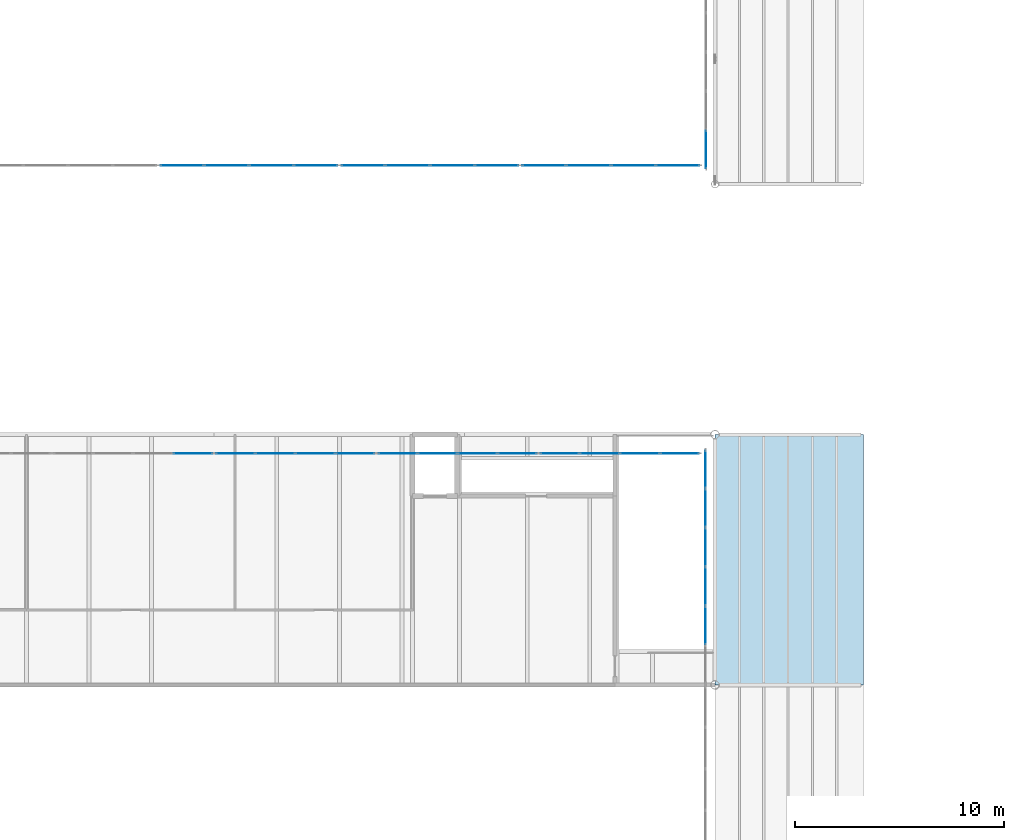
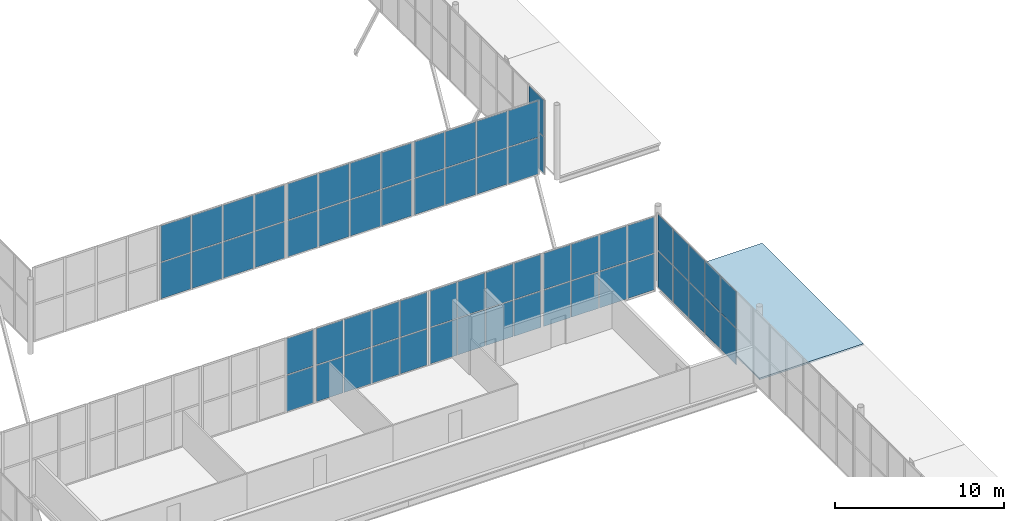
# One storey, part 94 of 170: 62 plates, 1 slab, 9 elements without a shape of their own.
"""IFC4 building model written with IfcOpenShell, lengths in metres."""

from ifc_helpers import new_model, si_unit, direction, frame, origin, origin_2d, place, context, subcontext, project, spatial, polyline, rectangle, outline, extrude, material, layer, layer_set, type_object, element, aggregate, save


model = new_model("IFC4")

# Units and contexts
model_context = context("Model", 3, precision=1e-05, world=origin(), true_north=direction((0.0, 1.0)))
body_context = subcontext(model_context, "Body", "Model", "MODEL_VIEW")
ifc_project = project(units=[si_unit("LENGTHUNIT", "METRE"), si_unit("AREAUNIT", "SQUARE_METRE"), si_unit("VOLUMEUNIT", "CUBIC_METRE"), si_unit("PLANEANGLEUNIT", "RADIAN"), si_unit("MASSUNIT", "GRAM", prefix="KILO")], contexts=[model_context])

# Site, building, storey
site_placement = place(None, origin())
site = spatial("IfcSite", under=ifc_project, at=site_placement, CompositionType="ELEMENT")
building_placement = place(site_placement, origin())
building = spatial("IfcBuilding", under=site, at=building_placement, Name="Ravi Spectrum Wholesale Market", CompositionType="ELEMENT")
storey_placement = place(building_placement, frame((0.0, 0.0, 5.39990234375)))
storey = spatial("IfcBuildingStorey", under=building, at=storey_placement, Name="L01", CompositionType="ELEMENT", Elevation=5.39990234375)

# Curtain wall, plates
ifc_material_1 = material(Name="Aluminium 6063-T6", Category="aluminium")
ifc_layer_1 = layer(ifc_material_1, 0.14990234375)
ifc_layer_set_1 = layer_set([ifc_layer_1], Name="Aluminium 6063-T6")
curtain_wall_type = type_object("IfcCurtainWallType", Name="Curtain wall 150", PredefinedType="NOTDEFINED", material=ifc_layer_set_1)
curtain_wall_1_placement = place(storey_placement, origin())
curtain_wall_1 = element("IfcCurtainWall", 1, at=curtain_wall_1_placement, inside=storey, type_object=curtain_wall_type, Name="H2-CW-L01-008", PredefinedType="NOTDEFINED")
ifc_material_2 = material(Name="Toughened glass", Category="glass")
ifc_layer_2 = layer(ifc_material_2, 0.028076171875)
ifc_layer_set_2 = layer_set([ifc_layer_2], Name="Toughened glass")
plate_type = type_object("IfcPlateType", Name="Glazing panel 28", PredefinedType="CURTAIN_PANEL", material=ifc_layer_set_2)
plate_1_placement = place(storey_placement, frame((197.546875, 116.8525390625, 0.06005859375), z_axis=(0.0, 0.0, 1.0), x_axis=(0.0, 1.0, 0.0)))
plate_1 = element("IfcPlate", 2, at=plate_1_placement, type_object=plate_type, Name="H2-CW-L01-008 panel 2.1", PredefinedType="CURTAIN_PANEL", context=body_context, shape_type="SweptSolid", body=[
    extrude(rectangle(XDim=1.81494140625, YDim=0.028076171875, at=origin_2d()), origin(), (0.0, 0.0, 1.0), 2.610107421875),
])
plate_2_placement = place(storey_placement, frame((197.546875, 116.8525390625, 2.72998046875), z_axis=(0.0, 0.0, 1.0), x_axis=(0.0, 1.0, 0.0)))
plate_2 = element("IfcPlate", 3, at=plate_2_placement, type_object=plate_type, Name="H2-CW-L01-008 panel 2.2", PredefinedType="CURTAIN_PANEL", context=body_context, shape_type="SweptSolid", body=[
    extrude(rectangle(XDim=1.81494140625, YDim=0.028076171875, at=origin_2d()), origin(), (0.0, 0.0, 1.0), 2.610107421875),
])
plate_3_placement = place(storey_placement, frame((197.546875, 118.7275390625, 0.06005859375), z_axis=(0.0, 0.0, 1.0), x_axis=(0.0, 1.0, 0.0)))
plate_3 = element("IfcPlate", 4, at=plate_3_placement, type_object=plate_type, Name="H2-CW-L01-008 panel 3.1", PredefinedType="CURTAIN_PANEL", context=body_context, shape_type="SweptSolid", body=[
    extrude(rectangle(XDim=1.81494140625, YDim=0.028076171875, at=origin_2d()), origin(), (0.0, 0.0, 1.0), 2.610107421875),
])
plate_4_placement = place(storey_placement, frame((197.546875, 118.7275390625, 2.72998046875), z_axis=(0.0, 0.0, 1.0), x_axis=(0.0, 1.0, 0.0)))
plate_4 = element("IfcPlate", 5, at=plate_4_placement, type_object=plate_type, Name="H2-CW-L01-008 panel 3.2", PredefinedType="CURTAIN_PANEL", context=body_context, shape_type="SweptSolid", body=[
    extrude(rectangle(XDim=1.81494140625, YDim=0.028076171875, at=origin_2d()), origin(), (0.0, 0.0, 1.0), 2.610107421875),
])
plate_5_placement = place(storey_placement, frame((197.546875, 120.6025390625, 0.06005859375), z_axis=(0.0, 0.0, 1.0), x_axis=(0.0, 1.0, 0.0)))
plate_5 = element("IfcPlate", 6, at=plate_5_placement, type_object=plate_type, Name="H2-CW-L01-008 panel 4.1", PredefinedType="CURTAIN_PANEL", context=body_context, shape_type="SweptSolid", body=[
    extrude(rectangle(XDim=1.81494140625, YDim=0.028076171875, at=origin_2d()), origin(), (0.0, 0.0, 1.0), 2.610107421875),
])
plate_6_placement = place(storey_placement, frame((197.546875, 120.6025390625, 2.72998046875), z_axis=(0.0, 0.0, 1.0), x_axis=(0.0, 1.0, 0.0)))
plate_6 = element("IfcPlate", 7, at=plate_6_placement, type_object=plate_type, Name="H2-CW-L01-008 panel 4.2", PredefinedType="CURTAIN_PANEL", context=body_context, shape_type="SweptSolid", body=[
    extrude(rectangle(XDim=1.81494140625, YDim=0.028076171875, at=origin_2d()), origin(), (0.0, 0.0, 1.0), 2.610107421875),
])
plate_7_placement = place(storey_placement, frame((197.546875, 122.4775390625, 0.06005859375), z_axis=(0.0, 0.0, 1.0), x_axis=(0.0, 1.0, 0.0)))
plate_7 = element("IfcPlate", 8, at=plate_7_placement, type_object=plate_type, Name="H2-CW-L01-008 panel 5.1", PredefinedType="CURTAIN_PANEL", context=body_context, shape_type="SweptSolid", body=[
    extrude(rectangle(XDim=1.81494140625, YDim=0.028076171875, at=origin_2d()), origin(), (0.0, 0.0, 1.0), 2.610107421875),
])
plate_8_placement = place(storey_placement, frame((197.546875, 122.4775390625, 2.72998046875), z_axis=(0.0, 0.0, 1.0), x_axis=(0.0, 1.0, 0.0)))
plate_8 = element("IfcPlate", 9, at=plate_8_placement, type_object=plate_type, Name="H2-CW-L01-008 panel 5.2", PredefinedType="CURTAIN_PANEL", context=body_context, shape_type="SweptSolid", body=[
    extrude(rectangle(XDim=1.81494140625, YDim=0.028076171875, at=origin_2d()), origin(), (0.0, 0.0, 1.0), 2.610107421875),
])
plate_9_placement = place(storey_placement, frame((197.546875, 124.33740234375, 0.06005859375), z_axis=(0.0, 0.0, 1.0), x_axis=(0.0, 1.0, 0.0)))
plate_9 = element("IfcPlate", 10, at=plate_9_placement, type_object=plate_type, Name="H2-CW-L01-008 panel 6.1", PredefinedType="CURTAIN_PANEL", context=body_context, shape_type="SweptSolid", body=[
    extrude(rectangle(XDim=1.784912109375, YDim=0.028076171875, at=origin_2d()), origin(), (0.0, 0.0, 1.0), 2.610107421875),
])
plate_10_placement = place(storey_placement, frame((197.546875, 124.33740234375, 2.72998046875), z_axis=(0.0, 0.0, 1.0), x_axis=(0.0, 1.0, 0.0)))
plate_10 = element("IfcPlate", 11, at=plate_10_placement, type_object=plate_type, Name="H2-CW-L01-008 panel 6.2", PredefinedType="CURTAIN_PANEL", context=body_context, shape_type="SweptSolid", body=[
    extrude(rectangle(XDim=1.784912109375, YDim=0.028076171875, at=origin_2d()), origin(), (0.0, 0.0, 1.0), 2.610107421875),
])
aggregate(curtain_wall_1, [plate_1, plate_2, plate_3, plate_4, plate_5, plate_6, plate_7, plate_8, plate_9, plate_10])

curtain_wall_2_placement = place(storey_placement, origin())
curtain_wall_2 = element("IfcCurtainWall", 12, at=curtain_wall_2_placement, inside=storey, type_object=curtain_wall_type, Name="H2-CW-L01-017", PredefinedType="NOTDEFINED")
plate_11_placement = place(storey_placement, frame((172.9833984375, 125.10009765625, 0.06005859375), z_axis=(0.0, 0.0, 1.0), x_axis=(1.0, 0.0, 0.0)))
plate_11 = element("IfcPlate", 13, at=plate_11_placement, type_object=plate_type, Name="H2-CW-L01-017 panel 4.1", PredefinedType="CURTAIN_PANEL", context=body_context, shape_type="SweptSolid", body=[
    extrude(rectangle(XDim=1.8330078125, YDim=0.028076171875, at=origin_2d()), origin(), (0.0, 0.0, 1.0), 2.610107421875),
])
plate_12_placement = place(storey_placement, frame((172.9833984375, 125.10009765625, 2.72998046875), z_axis=(0.0, 0.0, 1.0), x_axis=(1.0, 0.0, 0.0)))
plate_12 = element("IfcPlate", 14, at=plate_12_placement, type_object=plate_type, Name="H2-CW-L01-017 panel 4.2", PredefinedType="CURTAIN_PANEL", context=body_context, shape_type="SweptSolid", body=[
    extrude(rectangle(XDim=1.8330078125, YDim=0.028076171875, at=origin_2d()), origin(), (0.0, 0.0, 1.0), 2.610107421875),
])
aggregate(curtain_wall_2, [plate_11, plate_12])

curtain_wall_3_placement = place(storey_placement, origin())
curtain_wall_3 = element("IfcCurtainWall", 15, at=curtain_wall_3_placement, inside=storey, type_object=curtain_wall_type, Name="H2-CW-L01-018", PredefinedType="NOTDEFINED")
plate_13_placement = place(storey_placement, frame((175.0166015625, 125.10009765625, 0.06005859375), z_axis=(0.0, 0.0, 1.0), x_axis=(1.0, 0.0, 0.0)))
plate_13 = element("IfcPlate", 16, at=plate_13_placement, type_object=plate_type, Name="H2-CW-L01-018 panel 1.1", PredefinedType="CURTAIN_PANEL", context=body_context, shape_type="SweptSolid", body=[
    extrude(rectangle(XDim=1.8330078125, YDim=0.028076171875, at=origin_2d()), origin(), (0.0, 0.0, 1.0), 2.610107421875),
])
plate_14_placement = place(storey_placement, frame((175.0166015625, 125.10009765625, 2.72998046875), z_axis=(0.0, 0.0, 1.0), x_axis=(1.0, 0.0, 0.0)))
plate_14 = element("IfcPlate", 17, at=plate_14_placement, type_object=plate_type, Name="H2-CW-L01-018 panel 1.2", PredefinedType="CURTAIN_PANEL", context=body_context, shape_type="SweptSolid", body=[
    extrude(rectangle(XDim=1.8330078125, YDim=0.028076171875, at=origin_2d()), origin(), (0.0, 0.0, 1.0), 2.610107421875),
])
plate_15_placement = place(storey_placement, frame((176.924560546875, 125.10009765625, 0.06005859375), z_axis=(0.0, 0.0, 1.0), x_axis=(1.0, 0.0, 0.0)))
plate_15 = element("IfcPlate", 18, at=plate_15_placement, type_object=plate_type, Name="H2-CW-L01-018 panel 2.1", PredefinedType="CURTAIN_PANEL", context=body_context, shape_type="SweptSolid", body=[
    extrude(rectangle(XDim=1.863037109375, YDim=0.028076171875, at=origin_2d()), origin(), (0.0, 0.0, 1.0), 2.610107421875),
])
plate_16_placement = place(storey_placement, frame((176.924560546875, 125.10009765625, 2.72998046875), z_axis=(0.0, 0.0, 1.0), x_axis=(1.0, 0.0, 0.0)))
plate_16 = element("IfcPlate", 19, at=plate_16_placement, type_object=plate_type, Name="H2-CW-L01-018 panel 2.2", PredefinedType="CURTAIN_PANEL", context=body_context, shape_type="SweptSolid", body=[
    extrude(rectangle(XDim=1.863037109375, YDim=0.028076171875, at=origin_2d()), origin(), (0.0, 0.0, 1.0), 2.610107421875),
])
plate_17_placement = place(storey_placement, frame((178.84765625, 125.10009765625, 0.06005859375), z_axis=(0.0, 0.0, 1.0), x_axis=(1.0, 0.0, 0.0)))
plate_17 = element("IfcPlate", 20, at=plate_17_placement, type_object=plate_type, Name="H2-CW-L01-018 panel 3.1", PredefinedType="CURTAIN_PANEL", context=body_context, shape_type="SweptSolid", body=[
    extrude(rectangle(XDim=1.863037109375, YDim=0.028076171875, at=origin_2d()), origin(), (0.0, 0.0, 1.0), 2.610107421875),
])
plate_18_placement = place(storey_placement, frame((178.84765625, 125.10009765625, 2.72998046875), z_axis=(0.0, 0.0, 1.0), x_axis=(1.0, 0.0, 0.0)))
plate_18 = element("IfcPlate", 21, at=plate_18_placement, type_object=plate_type, Name="H2-CW-L01-018 panel 3.2", PredefinedType="CURTAIN_PANEL", context=body_context, shape_type="SweptSolid", body=[
    extrude(rectangle(XDim=1.863037109375, YDim=0.028076171875, at=origin_2d()), origin(), (0.0, 0.0, 1.0), 2.610107421875),
])
plate_19_placement = place(storey_placement, frame((180.755615234375, 125.10009765625, 0.06005859375), z_axis=(0.0, 0.0, 1.0), x_axis=(1.0, 0.0, 0.0)))
plate_19 = element("IfcPlate", 22, at=plate_19_placement, type_object=plate_type, Name="H2-CW-L01-018 panel 4.1", PredefinedType="CURTAIN_PANEL", context=body_context, shape_type="SweptSolid", body=[
    extrude(rectangle(XDim=1.8330078125, YDim=0.028076171875, at=origin_2d()), origin(), (0.0, 0.0, 1.0), 2.610107421875),
])
plate_20_placement = place(storey_placement, frame((180.755615234375, 125.10009765625, 2.72998046875), z_axis=(0.0, 0.0, 1.0), x_axis=(1.0, 0.0, 0.0)))
plate_20 = element("IfcPlate", 23, at=plate_20_placement, type_object=plate_type, Name="H2-CW-L01-018 panel 4.2", PredefinedType="CURTAIN_PANEL", context=body_context, shape_type="SweptSolid", body=[
    extrude(rectangle(XDim=1.8330078125, YDim=0.028076171875, at=origin_2d()), origin(), (0.0, 0.0, 1.0), 2.610107421875),
])
aggregate(curtain_wall_3, [plate_13, plate_14, plate_15, plate_16, plate_17, plate_18, plate_19, plate_20])

curtain_wall_4_placement = place(storey_placement, origin())
curtain_wall_4 = element("IfcCurtainWall", 24, at=curtain_wall_4_placement, inside=storey, type_object=curtain_wall_type, Name="H2-CW-L01-019", PredefinedType="NOTDEFINED")
plate_21_placement = place(storey_placement, frame((182.788818359375, 125.10009765625, 0.06005859375), z_axis=(0.0, 0.0, 1.0), x_axis=(1.0, 0.0, 0.0)))
plate_21 = element("IfcPlate", 25, at=plate_21_placement, type_object=plate_type, Name="H2-CW-L01-019 panel 1.1", PredefinedType="CURTAIN_PANEL", context=body_context, shape_type="SweptSolid", body=[
    extrude(rectangle(XDim=1.8330078125, YDim=0.028076171875, at=origin_2d()), origin(), (0.0, 0.0, 1.0), 2.610107421875),
])
plate_22_placement = place(storey_placement, frame((182.788818359375, 125.10009765625, 2.72998046875), z_axis=(0.0, 0.0, 1.0), x_axis=(1.0, 0.0, 0.0)))
plate_22 = element("IfcPlate", 26, at=plate_22_placement, type_object=plate_type, Name="H2-CW-L01-019 panel 1.2", PredefinedType="CURTAIN_PANEL", context=body_context, shape_type="SweptSolid", body=[
    extrude(rectangle(XDim=1.8330078125, YDim=0.028076171875, at=origin_2d()), origin(), (0.0, 0.0, 1.0), 2.610107421875),
])
plate_23_placement = place(storey_placement, frame((184.69677734375, 125.10009765625, 0.06005859375), z_axis=(0.0, 0.0, 1.0), x_axis=(1.0, 0.0, 0.0)))
plate_23 = element("IfcPlate", 27, at=plate_23_placement, type_object=plate_type, Name="H2-CW-L01-019 panel 2.1", PredefinedType="CURTAIN_PANEL", context=body_context, shape_type="SweptSolid", body=[
    extrude(rectangle(XDim=1.863037109375, YDim=0.028076171875, at=origin_2d()), origin(), (0.0, 0.0, 1.0), 2.610107421875),
])
plate_24_placement = place(storey_placement, frame((184.69677734375, 125.10009765625, 2.72998046875), z_axis=(0.0, 0.0, 1.0), x_axis=(1.0, 0.0, 0.0)))
plate_24 = element("IfcPlate", 28, at=plate_24_placement, type_object=plate_type, Name="H2-CW-L01-019 panel 2.2", PredefinedType="CURTAIN_PANEL", context=body_context, shape_type="SweptSolid", body=[
    extrude(rectangle(XDim=1.863037109375, YDim=0.028076171875, at=origin_2d()), origin(), (0.0, 0.0, 1.0), 2.610107421875),
])
plate_25_placement = place(storey_placement, frame((186.619873046875, 125.10009765625, 0.06005859375), z_axis=(0.0, 0.0, 1.0), x_axis=(1.0, 0.0, 0.0)))
plate_25 = element("IfcPlate", 29, at=plate_25_placement, type_object=plate_type, Name="H2-CW-L01-019 panel 3.1", PredefinedType="CURTAIN_PANEL", context=body_context, shape_type="SweptSolid", body=[
    extrude(rectangle(XDim=1.863037109375, YDim=0.028076171875, at=origin_2d()), origin(), (0.0, 0.0, 1.0), 2.610107421875),
])
plate_26_placement = place(storey_placement, frame((186.619873046875, 125.10009765625, 2.72998046875), z_axis=(0.0, 0.0, 1.0), x_axis=(1.0, 0.0, 0.0)))
plate_26 = element("IfcPlate", 30, at=plate_26_placement, type_object=plate_type, Name="H2-CW-L01-019 panel 3.2", PredefinedType="CURTAIN_PANEL", context=body_context, shape_type="SweptSolid", body=[
    extrude(rectangle(XDim=1.863037109375, YDim=0.028076171875, at=origin_2d()), origin(), (0.0, 0.0, 1.0), 2.610107421875),
])
plate_27_placement = place(storey_placement, frame((188.528076171875, 125.10009765625, 0.06005859375), z_axis=(0.0, 0.0, 1.0), x_axis=(1.0, 0.0, 0.0)))
plate_27 = element("IfcPlate", 31, at=plate_27_placement, type_object=plate_type, Name="H2-CW-L01-019 panel 4.1", PredefinedType="CURTAIN_PANEL", context=body_context, shape_type="SweptSolid", body=[
    extrude(rectangle(XDim=1.8330078125, YDim=0.028076171875, at=origin_2d()), origin(), (0.0, 0.0, 1.0), 2.610107421875),
])
plate_28_placement = place(storey_placement, frame((188.528076171875, 125.10009765625, 2.72998046875), z_axis=(0.0, 0.0, 1.0), x_axis=(1.0, 0.0, 0.0)))
plate_28 = element("IfcPlate", 32, at=plate_28_placement, type_object=plate_type, Name="H2-CW-L01-019 panel 4.2", PredefinedType="CURTAIN_PANEL", context=body_context, shape_type="SweptSolid", body=[
    extrude(rectangle(XDim=1.8330078125, YDim=0.028076171875, at=origin_2d()), origin(), (0.0, 0.0, 1.0), 2.610107421875),
])
aggregate(curtain_wall_4, [plate_21, plate_22, plate_23, plate_24, plate_25, plate_26, plate_27, plate_28])

curtain_wall_5_placement = place(storey_placement, origin())
curtain_wall_5 = element("IfcCurtainWall", 33, at=curtain_wall_5_placement, inside=storey, type_object=curtain_wall_type, Name="H2-CW-L01-020", PredefinedType="NOTDEFINED")
plate_29_placement = place(storey_placement, frame((190.56103515625, 125.10009765625, 0.06005859375), z_axis=(0.0, 0.0, 1.0), x_axis=(1.0, 0.0, 0.0)))
plate_29 = element("IfcPlate", 34, at=plate_29_placement, type_object=plate_type, Name="H2-CW-L01-020 panel 1.1", PredefinedType="CURTAIN_PANEL", context=body_context, shape_type="SweptSolid", body=[
    extrude(rectangle(XDim=1.8330078125, YDim=0.028076171875, at=origin_2d()), origin(), (0.0, 0.0, 1.0), 2.610107421875),
])
plate_30_placement = place(storey_placement, frame((190.56103515625, 125.10009765625, 2.72998046875), z_axis=(0.0, 0.0, 1.0), x_axis=(1.0, 0.0, 0.0)))
plate_30 = element("IfcPlate", 35, at=plate_30_placement, type_object=plate_type, Name="H2-CW-L01-020 panel 1.2", PredefinedType="CURTAIN_PANEL", context=body_context, shape_type="SweptSolid", body=[
    extrude(rectangle(XDim=1.8330078125, YDim=0.028076171875, at=origin_2d()), origin(), (0.0, 0.0, 1.0), 2.610107421875),
])
plate_31_placement = place(storey_placement, frame((192.46923828125, 125.10009765625, 0.06005859375), z_axis=(0.0, 0.0, 1.0), x_axis=(1.0, 0.0, 0.0)))
plate_31 = element("IfcPlate", 36, at=plate_31_placement, type_object=plate_type, Name="H2-CW-L01-020 panel 2.1", PredefinedType="CURTAIN_PANEL", context=body_context, shape_type="SweptSolid", body=[
    extrude(rectangle(XDim=1.863037109375, YDim=0.028076171875, at=origin_2d()), origin(), (0.0, 0.0, 1.0), 2.610107421875),
])
plate_32_placement = place(storey_placement, frame((192.46923828125, 125.10009765625, 2.72998046875), z_axis=(0.0, 0.0, 1.0), x_axis=(1.0, 0.0, 0.0)))
plate_32 = element("IfcPlate", 37, at=plate_32_placement, type_object=plate_type, Name="H2-CW-L01-020 panel 2.2", PredefinedType="CURTAIN_PANEL", context=body_context, shape_type="SweptSolid", body=[
    extrude(rectangle(XDim=1.863037109375, YDim=0.028076171875, at=origin_2d()), origin(), (0.0, 0.0, 1.0), 2.610107421875),
])
plate_33_placement = place(storey_placement, frame((194.39208984375, 125.10009765625, 0.06005859375), z_axis=(0.0, 0.0, 1.0), x_axis=(1.0, 0.0, 0.0)))
plate_33 = element("IfcPlate", 38, at=plate_33_placement, type_object=plate_type, Name="H2-CW-L01-020 panel 3.1", PredefinedType="CURTAIN_PANEL", context=body_context, shape_type="SweptSolid", body=[
    extrude(rectangle(XDim=1.863037109375, YDim=0.028076171875, at=origin_2d()), origin(), (0.0, 0.0, 1.0), 2.610107421875),
])
plate_34_placement = place(storey_placement, frame((194.39208984375, 125.10009765625, 2.72998046875), z_axis=(0.0, 0.0, 1.0), x_axis=(1.0, 0.0, 0.0)))
plate_34 = element("IfcPlate", 39, at=plate_34_placement, type_object=plate_type, Name="H2-CW-L01-020 panel 3.2", PredefinedType="CURTAIN_PANEL", context=body_context, shape_type="SweptSolid", body=[
    extrude(rectangle(XDim=1.863037109375, YDim=0.028076171875, at=origin_2d()), origin(), (0.0, 0.0, 1.0), 2.610107421875),
])
plate_35_placement = place(storey_placement, frame((196.30029296875, 125.10009765625, 0.06005859375), z_axis=(0.0, 0.0, 1.0), x_axis=(1.0, 0.0, 0.0)))
plate_35 = element("IfcPlate", 40, at=plate_35_placement, type_object=plate_type, Name="H2-CW-L01-020 panel 4.1", PredefinedType="CURTAIN_PANEL", context=body_context, shape_type="SweptSolid", body=[
    extrude(rectangle(XDim=1.8330078125, YDim=0.028076171875, at=origin_2d()), origin(), (0.0, 0.0, 1.0), 2.610107421875),
])
plate_36_placement = place(storey_placement, frame((196.30029296875, 125.10009765625, 2.72998046875), z_axis=(0.0, 0.0, 1.0), x_axis=(1.0, 0.0, 0.0)))
plate_36 = element("IfcPlate", 41, at=plate_36_placement, type_object=plate_type, Name="H2-CW-L01-020 panel 4.2", PredefinedType="CURTAIN_PANEL", context=body_context, shape_type="SweptSolid", body=[
    extrude(rectangle(XDim=1.8330078125, YDim=0.028076171875, at=origin_2d()), origin(), (0.0, 0.0, 1.0), 2.610107421875),
])
aggregate(curtain_wall_5, [plate_29, plate_30, plate_31, plate_32, plate_33, plate_34, plate_35, plate_36])

curtain_wall_6_placement = place(storey_placement, origin())
curtain_wall_6 = element("IfcCurtainWall", 42, at=curtain_wall_6_placement, inside=storey, type_object=curtain_wall_type, Name="H3-CW-L01-005", PredefinedType="NOTDEFINED")
plate_37_placement = place(storey_placement, frame((197.572265625, 139.66259765625, 0.06005859375), z_axis=(0.0, 0.0, 1.0), x_axis=(0.0, 1.0, 0.0)))
plate_37 = element("IfcPlate", 43, at=plate_37_placement, type_object=plate_type, Name="H3-CW-L01-005 panel 1.1", PredefinedType="CURTAIN_PANEL", context=body_context, shape_type="SweptSolid", body=[
    extrude(rectangle(XDim=1.784912109375, YDim=0.028076171875, at=origin_2d()), origin(), (0.0, 0.0, 1.0), 2.610107421875),
])
plate_38_placement = place(storey_placement, frame((197.572265625, 139.66259765625, 2.72998046875), z_axis=(0.0, 0.0, 1.0), x_axis=(0.0, 1.0, 0.0)))
plate_38 = element("IfcPlate", 44, at=plate_38_placement, type_object=plate_type, Name="H3-CW-L01-005 panel 1.2", PredefinedType="CURTAIN_PANEL", context=body_context, shape_type="SweptSolid", body=[
    extrude(rectangle(XDim=1.784912109375, YDim=0.028076171875, at=origin_2d()), origin(), (0.0, 0.0, 1.0), 2.610107421875),
])
aggregate(curtain_wall_6, [plate_37, plate_38])

curtain_wall_7_placement = place(storey_placement, origin())
curtain_wall_7 = element("IfcCurtainWall", 45, at=curtain_wall_7_placement, inside=storey, type_object=curtain_wall_type, Name="H3-CW-L01-010", PredefinedType="NOTDEFINED")
plate_39_placement = place(storey_placement, frame((172.457763671875, 138.89990234375, 0.06005859375), z_axis=(0.0, 0.0, 1.0), x_axis=(1.0, 0.0, 0.0)))
plate_39 = element("IfcPlate", 46, at=plate_39_placement, type_object=plate_type, Name="H3-CW-L01-010 panel 1.1", PredefinedType="CURTAIN_PANEL", context=body_context, shape_type="SweptSolid", body=[
    extrude(rectangle(XDim=2.057861328125, YDim=0.028076171875, at=origin_2d()), origin(), (0.0, 0.0, 1.0), 2.610107421875),
])
plate_40_placement = place(storey_placement, frame((172.457763671875, 138.89990234375, 2.72998046875), z_axis=(0.0, 0.0, 1.0), x_axis=(1.0, 0.0, 0.0)))
plate_40 = element("IfcPlate", 47, at=plate_40_placement, type_object=plate_type, Name="H3-CW-L01-010 panel 1.2", PredefinedType="CURTAIN_PANEL", context=body_context, shape_type="SweptSolid", body=[
    extrude(rectangle(XDim=2.057861328125, YDim=0.028076171875, at=origin_2d()), origin(), (0.0, 0.0, 1.0), 2.610107421875),
])
plate_41_placement = place(storey_placement, frame((174.590576171875, 138.89990234375, 0.06005859375), z_axis=(0.0, 0.0, 1.0), x_axis=(1.0, 0.0, 0.0)))
plate_41 = element("IfcPlate", 48, at=plate_41_placement, type_object=plate_type, Name="H3-CW-L01-010 panel 2.1", PredefinedType="CURTAIN_PANEL", context=body_context, shape_type="SweptSolid", body=[
    extrude(rectangle(XDim=2.087890625, YDim=0.028076171875, at=origin_2d()), origin(), (0.0, 0.0, 1.0), 2.610107421875),
])
plate_42_placement = place(storey_placement, frame((174.590576171875, 138.89990234375, 2.72998046875), z_axis=(0.0, 0.0, 1.0), x_axis=(1.0, 0.0, 0.0)))
plate_42 = element("IfcPlate", 49, at=plate_42_placement, type_object=plate_type, Name="H3-CW-L01-010 panel 2.2", PredefinedType="CURTAIN_PANEL", context=body_context, shape_type="SweptSolid", body=[
    extrude(rectangle(XDim=2.087890625, YDim=0.028076171875, at=origin_2d()), origin(), (0.0, 0.0, 1.0), 2.610107421875),
])
plate_43_placement = place(storey_placement, frame((176.73828125, 138.89990234375, 0.06005859375), z_axis=(0.0, 0.0, 1.0), x_axis=(1.0, 0.0, 0.0)))
plate_43 = element("IfcPlate", 50, at=plate_43_placement, type_object=plate_type, Name="H3-CW-L01-010 panel 3.1", PredefinedType="CURTAIN_PANEL", context=body_context, shape_type="SweptSolid", body=[
    extrude(rectangle(XDim=2.087890625, YDim=0.028076171875, at=origin_2d()), origin(), (0.0, 0.0, 1.0), 2.610107421875),
])
plate_44_placement = place(storey_placement, frame((176.73828125, 138.89990234375, 2.72998046875), z_axis=(0.0, 0.0, 1.0), x_axis=(1.0, 0.0, 0.0)))
plate_44 = element("IfcPlate", 51, at=plate_44_placement, type_object=plate_type, Name="H3-CW-L01-010 panel 3.2", PredefinedType="CURTAIN_PANEL", context=body_context, shape_type="SweptSolid", body=[
    extrude(rectangle(XDim=2.087890625, YDim=0.028076171875, at=origin_2d()), origin(), (0.0, 0.0, 1.0), 2.610107421875),
])
plate_45_placement = place(storey_placement, frame((178.87109375, 138.89990234375, 0.06005859375), z_axis=(0.0, 0.0, 1.0), x_axis=(1.0, 0.0, 0.0)))
plate_45 = element("IfcPlate", 52, at=plate_45_placement, type_object=plate_type, Name="H3-CW-L01-010 panel 4.1", PredefinedType="CURTAIN_PANEL", context=body_context, shape_type="SweptSolid", body=[
    extrude(rectangle(XDim=2.057861328125, YDim=0.028076171875, at=origin_2d()), origin(), (0.0, 0.0, 1.0), 2.610107421875),
])
plate_46_placement = place(storey_placement, frame((178.87109375, 138.89990234375, 2.72998046875), z_axis=(0.0, 0.0, 1.0), x_axis=(1.0, 0.0, 0.0)))
plate_46 = element("IfcPlate", 53, at=plate_46_placement, type_object=plate_type, Name="H3-CW-L01-010 panel 4.2", PredefinedType="CURTAIN_PANEL", context=body_context, shape_type="SweptSolid", body=[
    extrude(rectangle(XDim=2.057861328125, YDim=0.028076171875, at=origin_2d()), origin(), (0.0, 0.0, 1.0), 2.610107421875),
])
aggregate(curtain_wall_7, [plate_39, plate_40, plate_41, plate_42, plate_43, plate_44, plate_45, plate_46])

curtain_wall_8_placement = place(storey_placement, origin())
curtain_wall_8 = element("IfcCurtainWall", 54, at=curtain_wall_8_placement, inside=storey, type_object=curtain_wall_type, Name="H3-CW-L01-011", PredefinedType="NOTDEFINED")
plate_47_placement = place(storey_placement, frame((181.12890625, 138.89990234375, 0.06005859375), z_axis=(0.0, 0.0, 1.0), x_axis=(1.0, 0.0, 0.0)))
plate_47 = element("IfcPlate", 55, at=plate_47_placement, type_object=plate_type, Name="H3-CW-L01-011 panel 1.1", PredefinedType="CURTAIN_PANEL", context=body_context, shape_type="SweptSolid", body=[
    extrude(rectangle(XDim=2.057861328125, YDim=0.028076171875, at=origin_2d()), origin(), (0.0, 0.0, 1.0), 2.610107421875),
])
plate_48_placement = place(storey_placement, frame((181.12890625, 138.89990234375, 2.72998046875), z_axis=(0.0, 0.0, 1.0), x_axis=(1.0, 0.0, 0.0)))
plate_48 = element("IfcPlate", 56, at=plate_48_placement, type_object=plate_type, Name="H3-CW-L01-011 panel 1.2", PredefinedType="CURTAIN_PANEL", context=body_context, shape_type="SweptSolid", body=[
    extrude(rectangle(XDim=2.057861328125, YDim=0.028076171875, at=origin_2d()), origin(), (0.0, 0.0, 1.0), 2.610107421875),
])
plate_49_placement = place(storey_placement, frame((183.26171875, 138.89990234375, 0.06005859375), z_axis=(0.0, 0.0, 1.0), x_axis=(1.0, 0.0, 0.0)))
plate_49 = element("IfcPlate", 57, at=plate_49_placement, type_object=plate_type, Name="H3-CW-L01-011 panel 2.1", PredefinedType="CURTAIN_PANEL", context=body_context, shape_type="SweptSolid", body=[
    extrude(rectangle(XDim=2.087890625, YDim=0.028076171875, at=origin_2d()), origin(), (0.0, 0.0, 1.0), 2.610107421875),
])
plate_50_placement = place(storey_placement, frame((183.26171875, 138.89990234375, 2.72998046875), z_axis=(0.0, 0.0, 1.0), x_axis=(1.0, 0.0, 0.0)))
plate_50 = element("IfcPlate", 58, at=plate_50_placement, type_object=plate_type, Name="H3-CW-L01-011 panel 2.2", PredefinedType="CURTAIN_PANEL", context=body_context, shape_type="SweptSolid", body=[
    extrude(rectangle(XDim=2.087890625, YDim=0.028076171875, at=origin_2d()), origin(), (0.0, 0.0, 1.0), 2.610107421875),
])
plate_51_placement = place(storey_placement, frame((185.409423828125, 138.89990234375, 0.06005859375), z_axis=(0.0, 0.0, 1.0), x_axis=(1.0, 0.0, 0.0)))
plate_51 = element("IfcPlate", 59, at=plate_51_placement, type_object=plate_type, Name="H3-CW-L01-011 panel 3.1", PredefinedType="CURTAIN_PANEL", context=body_context, shape_type="SweptSolid", body=[
    extrude(rectangle(XDim=2.087890625, YDim=0.028076171875, at=origin_2d()), origin(), (0.0, 0.0, 1.0), 2.610107421875),
])
plate_52_placement = place(storey_placement, frame((185.409423828125, 138.89990234375, 2.72998046875), z_axis=(0.0, 0.0, 1.0), x_axis=(1.0, 0.0, 0.0)))
plate_52 = element("IfcPlate", 60, at=plate_52_placement, type_object=plate_type, Name="H3-CW-L01-011 panel 3.2", PredefinedType="CURTAIN_PANEL", context=body_context, shape_type="SweptSolid", body=[
    extrude(rectangle(XDim=2.087890625, YDim=0.028076171875, at=origin_2d()), origin(), (0.0, 0.0, 1.0), 2.610107421875),
])
plate_53_placement = place(storey_placement, frame((187.542236328125, 138.89990234375, 0.06005859375), z_axis=(0.0, 0.0, 1.0), x_axis=(1.0, 0.0, 0.0)))
plate_53 = element("IfcPlate", 61, at=plate_53_placement, type_object=plate_type, Name="H3-CW-L01-011 panel 4.1", PredefinedType="CURTAIN_PANEL", context=body_context, shape_type="SweptSolid", body=[
    extrude(rectangle(XDim=2.057861328125, YDim=0.028076171875, at=origin_2d()), origin(), (0.0, 0.0, 1.0), 2.610107421875),
])
plate_54_placement = place(storey_placement, frame((187.542236328125, 138.89990234375, 2.72998046875), z_axis=(0.0, 0.0, 1.0), x_axis=(1.0, 0.0, 0.0)))
plate_54 = element("IfcPlate", 62, at=plate_54_placement, type_object=plate_type, Name="H3-CW-L01-011 panel 4.2", PredefinedType="CURTAIN_PANEL", context=body_context, shape_type="SweptSolid", body=[
    extrude(rectangle(XDim=2.057861328125, YDim=0.028076171875, at=origin_2d()), origin(), (0.0, 0.0, 1.0), 2.610107421875),
])
aggregate(curtain_wall_8, [plate_47, plate_48, plate_49, plate_50, plate_51, plate_52, plate_53, plate_54])

curtain_wall_9_placement = place(storey_placement, origin())
curtain_wall_9 = element("IfcCurtainWall", 63, at=curtain_wall_9_placement, inside=storey, type_object=curtain_wall_type, Name="H3-CW-L01-012", PredefinedType="NOTDEFINED")
plate_55_placement = place(storey_placement, frame((189.800048828125, 138.89990234375, 0.06005859375), z_axis=(0.0, 0.0, 1.0), x_axis=(1.0, 0.0, 0.0)))
plate_55 = element("IfcPlate", 64, at=plate_55_placement, type_object=plate_type, Name="H3-CW-L01-012 panel 1.1", PredefinedType="CURTAIN_PANEL", context=body_context, shape_type="SweptSolid", body=[
    extrude(rectangle(XDim=2.057861328125, YDim=0.028076171875, at=origin_2d()), origin(), (0.0, 0.0, 1.0), 2.610107421875),
])
plate_56_placement = place(storey_placement, frame((189.800048828125, 138.89990234375, 2.72998046875), z_axis=(0.0, 0.0, 1.0), x_axis=(1.0, 0.0, 0.0)))
plate_56 = element("IfcPlate", 65, at=plate_56_placement, type_object=plate_type, Name="H3-CW-L01-012 panel 1.2", PredefinedType="CURTAIN_PANEL", context=body_context, shape_type="SweptSolid", body=[
    extrude(rectangle(XDim=2.057861328125, YDim=0.028076171875, at=origin_2d()), origin(), (0.0, 0.0, 1.0), 2.610107421875),
])
plate_57_placement = place(storey_placement, frame((191.932861328125, 138.89990234375, 0.06005859375), z_axis=(0.0, 0.0, 1.0), x_axis=(1.0, 0.0, 0.0)))
plate_57 = element("IfcPlate", 66, at=plate_57_placement, type_object=plate_type, Name="H3-CW-L01-012 panel 2.1", PredefinedType="CURTAIN_PANEL", context=body_context, shape_type="SweptSolid", body=[
    extrude(rectangle(XDim=2.087890625, YDim=0.028076171875, at=origin_2d()), origin(), (0.0, 0.0, 1.0), 2.610107421875),
])
plate_58_placement = place(storey_placement, frame((191.932861328125, 138.89990234375, 2.72998046875), z_axis=(0.0, 0.0, 1.0), x_axis=(1.0, 0.0, 0.0)))
plate_58 = element("IfcPlate", 67, at=plate_58_placement, type_object=plate_type, Name="H3-CW-L01-012 panel 2.2", PredefinedType="CURTAIN_PANEL", context=body_context, shape_type="SweptSolid", body=[
    extrude(rectangle(XDim=2.087890625, YDim=0.028076171875, at=origin_2d()), origin(), (0.0, 0.0, 1.0), 2.610107421875),
])
plate_59_placement = place(storey_placement, frame((194.08056640625, 138.89990234375, 0.06005859375), z_axis=(0.0, 0.0, 1.0), x_axis=(1.0, 0.0, 0.0)))
plate_59 = element("IfcPlate", 68, at=plate_59_placement, type_object=plate_type, Name="H3-CW-L01-012 panel 3.1", PredefinedType="CURTAIN_PANEL", context=body_context, shape_type="SweptSolid", body=[
    extrude(rectangle(XDim=2.087890625, YDim=0.028076171875, at=origin_2d()), origin(), (0.0, 0.0, 1.0), 2.610107421875),
])
plate_60_placement = place(storey_placement, frame((194.08056640625, 138.89990234375, 2.72998046875), z_axis=(0.0, 0.0, 1.0), x_axis=(1.0, 0.0, 0.0)))
plate_60 = element("IfcPlate", 69, at=plate_60_placement, type_object=plate_type, Name="H3-CW-L01-012 panel 3.2", PredefinedType="CURTAIN_PANEL", context=body_context, shape_type="SweptSolid", body=[
    extrude(rectangle(XDim=2.087890625, YDim=0.028076171875, at=origin_2d()), origin(), (0.0, 0.0, 1.0), 2.610107421875),
])
plate_61_placement = place(storey_placement, frame((196.21337890625, 138.89990234375, 0.06005859375), z_axis=(0.0, 0.0, 1.0), x_axis=(1.0, 0.0, 0.0)))
plate_61 = element("IfcPlate", 70, at=plate_61_placement, type_object=plate_type, Name="H3-CW-L01-012 panel 4.1", PredefinedType="CURTAIN_PANEL", context=body_context, shape_type="SweptSolid", body=[
    extrude(rectangle(XDim=2.057861328125, YDim=0.028076171875, at=origin_2d()), origin(), (0.0, 0.0, 1.0), 2.610107421875),
])
plate_62_placement = place(storey_placement, frame((196.21337890625, 138.89990234375, 2.72998046875), z_axis=(0.0, 0.0, 1.0), x_axis=(1.0, 0.0, 0.0)))
plate_62 = element("IfcPlate", 71, at=plate_62_placement, type_object=plate_type, Name="H3-CW-L01-012 panel 4.2", PredefinedType="CURTAIN_PANEL", context=body_context, shape_type="SweptSolid", body=[
    extrude(rectangle(XDim=2.057861328125, YDim=0.028076171875, at=origin_2d()), origin(), (0.0, 0.0, 1.0), 2.610107421875),
])
aggregate(curtain_wall_9, [plate_55, plate_56, plate_57, plate_58, plate_59, plate_60, plate_61, plate_62])

# Slab
ifc_material_3 = material(Name="Steel S355", Category="steel")
ifc_layer_3 = layer(ifc_material_3, 0.1201171875)
ifc_layer_set_3 = layer_set([ifc_layer_3], Name="Steel S355")
slab_type = type_object("IfcSlabType", Name="Roof deck 120", PredefinedType="ROOF", material=ifc_layer_set_3)
slab_placement = place(storey_placement, origin())
element("IfcSlab", 72, at=slab_placement, inside=storey, type_object=slab_type, Name="H2-SL-L01-005", PredefinedType="ROOF", context=body_context, shape_type="SweptSolid", body=[
    extrude(outline(polyline([(198.0, 114.0), (205.109619140625, 114.0), (205.109619140625, 126.0), (198.0, 126.0), (198.0, 114.0)])), origin(), (0.0, 0.0, 1.0), 0.1201171875),
])

save(model, "model.ifc")
